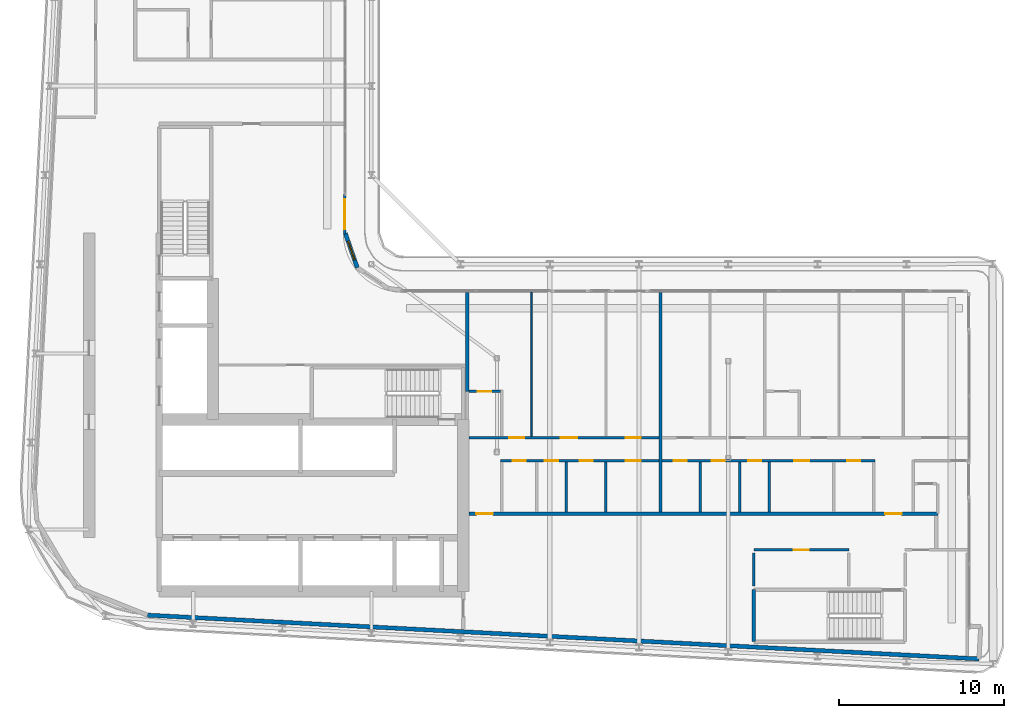
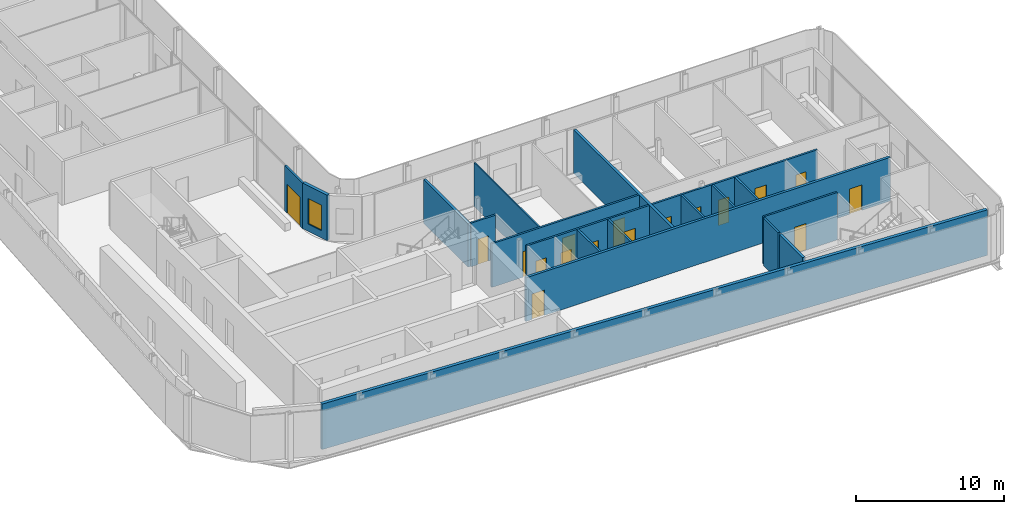
# One storey, part 11 of 22: 19 walls, 17 doors, 1 window, 18 openings.
"""IFC4 building model written with IfcOpenShell, lengths in metres."""

from ifc_helpers import new_model, si_unit, direction, frame, frame_2d, origin, place, context, subcontext, project, spatial, rectangle, extrude, source, transform, mapped, material, layer, layer_set, type_object, element, fill, save


model = new_model("IFC4")

# Units and contexts
model_context = context("Model", 3, precision=1e-05, world=origin(), true_north=direction((0.0, 1.0)))
body_context = subcontext(model_context, "Body", "Model", "MODEL_VIEW")
ifc_project = project(units=[si_unit("LENGTHUNIT", "METRE"), si_unit("AREAUNIT", "SQUARE_METRE"), si_unit("VOLUMEUNIT", "CUBIC_METRE"), si_unit("PLANEANGLEUNIT", "RADIAN"), si_unit("MASSUNIT", "GRAM", prefix="KILO")], contexts=[model_context])

# Site, building, storey
site_placement = place(None, origin())
site = spatial("IfcSite", under=ifc_project, at=site_placement, CompositionType="ELEMENT")
building_placement = place(site_placement, origin())
building = spatial("IfcBuilding", under=site, at=building_placement, Name="Kheshtan School and Residences Tower", CompositionType="ELEMENT")
storey_placement = place(building_placement, frame((0.0, 0.0, 263.0)))
storey = spatial("IfcBuildingStorey", under=building, at=storey_placement, Name="L62", CompositionType="ELEMENT", Elevation=263.0)

# Wall, openings, doors
ifc_material_1 = material(Name="Gypsum board on steel studs with fire boards", Category="steel")
ifc_layer_1 = layer(ifc_material_1, 0.199951171875)
ifc_layer_set_1 = layer_set([ifc_layer_1], Name="Corridor wall 200")
wall_type_1 = type_object("IfcWallType", Name="Corridor wall 200", PredefinedType="PARTITIONING", material=ifc_layer_set_1)
wall_1_placement = place(storey_placement, frame((53.4990234375, 30.5, 0.0), z_axis=(0.0, 0.0, 1.0), x_axis=(1.0, 0.0, 0.0)))
wall_1 = element("IfcWall", 1, at=wall_1_placement, inside=storey, type_object=wall_type_1, Name="Partition L62-033", PredefinedType="PARTITIONING", context=body_context, shape_type="SweptSolid", body=[
    extrude(rectangle(XDim=28.40087890625, YDim=0.199951171875, at=frame_2d((14.200439453125, 0.0))), origin(), (0.0, 0.0, 1.0), 3.60009765625),
])
opening_1_placement = place(wall_1_placement, frame((0.450927734375, 0.0, 0.0)))
opening_1 = element("IfcOpeningElement", 2, at=opening_1_placement, cuts=wall_1, Name="Opening D61-004", PredefinedType="OPENING", context=body_context, shape_type="SweptSolid", body=[
    extrude(rectangle(XDim=1.0, YDim=2.10009765625, at=frame_2d((0.5, 1.050048828125))), frame((0.0, 0.10986328125, 0.0), z_axis=(0.0, -1.0, 0.0), x_axis=(1.0, 0.0, 0.0)), (0.0, 0.0, 1.0), 0.219970703125),
])
opening_2_placement = place(wall_1_placement, frame((25.200927734375, 0.0, 0.0)))
opening_2 = element("IfcOpeningElement", 3, at=opening_2_placement, cuts=wall_1, Name="Opening D61-016", PredefinedType="OPENING", context=body_context, shape_type="SweptSolid", body=[
    extrude(rectangle(XDim=1.0, YDim=2.10009765625, at=frame_2d((0.5, 1.050048828125))), frame((0.0, 0.10986328125, 0.0), z_axis=(0.0, -1.0, 0.0), x_axis=(1.0, 0.0, 0.0)), (0.0, 0.0, 1.0), 0.219970703125),
])
ifc_material_2 = material(Name="Steel-framed fire-resisting door leaf", Category="steel")
door_type_1 = type_object("IfcDoorType", Name="Fire door FD30S 1000 x 2100", OperationType="SINGLE_SWING_LEFT", PredefinedType="DOOR", material=ifc_material_2)
shared_shape_1 = source(origin(), body_context, "Body", "SweptSolid", [
    extrude(rectangle(XDim=1.0, YDim=2.10009765625, at=frame_2d((0.5, 1.050048828125))), frame((0.0, 0.02490234375, 0.0), z_axis=(0.0, -1.0, 0.0), x_axis=(1.0, 0.0, 0.0)), (0.0, 0.0, 1.0), 0.050048828125),
])
door_1_placement = place(opening_1_placement, origin())
door_1 = element("IfcDoor", 4, at=door_1_placement, inside=storey, type_object=door_type_1, Name="Door D61-004", OperationType="SINGLE_SWING_LEFT", OverallHeight=2.10009765625, OverallWidth=1.0, PredefinedType="DOOR", context=body_context, shape_type="MappedRepresentation", body=[
    mapped(shared_shape_1, transform((0.0, 0.0, 0.0), x_axis=(1.0, 0.0, 0.0), y_axis=(0.0, 1.0, 0.0), z_axis=(0.0, 0.0, 1.0), scale=1.0)),
])
fill(opening_1, door_1)
door_2_placement = place(opening_2_placement, origin())
door_2 = element("IfcDoor", 5, at=door_2_placement, inside=storey, type_object=door_type_1, Name="Door D61-016", OperationType="SINGLE_SWING_RIGHT", OverallHeight=2.10009765625, OverallWidth=1.0, PredefinedType="DOOR", context=body_context, shape_type="MappedRepresentation", body=[
    mapped(shared_shape_1, transform((0.0, 0.0, 0.0), x_axis=(1.0, 0.0, 0.0), y_axis=(0.0, 1.0, 0.0), z_axis=(0.0, 0.0, 1.0), scale=1.0)),
])
fill(opening_2, door_2)

# Wall, opening, window
ifc_material_3 = material(Name="Concrete C40/50 with ceramic cladding and mineral wool insulation", Category="concrete")
ifc_layer_2 = layer(ifc_material_3, 0.25)
ifc_layer_set_2 = layer_set([ifc_layer_2], Name="External wall 250 ceramic clad")
wall_type_2 = type_object("IfcWallType", Name="External wall 250 ceramic clad", PredefinedType="SOLIDWALL", material=ifc_layer_set_2)
wall_2_placement = place(storey_placement, frame((46.01806640625, 47.470947265625, 0.0), z_axis=(0.0, 0.0, 1.0), x_axis=(0.328791208903, -0.944402637093, 0.0)))
wall_2 = element("IfcWall", 6, at=wall_2_placement, inside=storey, type_object=wall_type_2, Name="External wall L62 9", PredefinedType="SOLIDWALL", context=body_context, shape_type="SweptSolid", body=[
    extrude(rectangle(XDim=2.20458984375, YDim=0.25, at=frame_2d((1.102294921875, 0.0))), origin(), (0.0, 0.0, 1.0), 3.75),
])
opening_3_placement = place(wall_2_placement, frame((0.5029296875, 0.0, 0.60009765625)))
opening_3 = element("IfcOpeningElement", 7, at=opening_3_placement, cuts=wall_2, Name="Opening WN-E", PredefinedType="OPENING", context=body_context, shape_type="SweptSolid", body=[
    extrude(rectangle(XDim=1.199951171875, YDim=2.10009765625, at=frame_2d((0.60009765625, 1.050048828125))), frame((0.0, 0.135009765625, 0.0), z_axis=(0.0, -1.0, 0.0), x_axis=(1.0, 0.0, 0.0)), (0.0, 0.0, 1.0), 0.27001953125),
])
ifc_material_4 = material(Name="Clear low-e glass in thermally broken aluminium frame", Category="aluminium")
window_type = type_object("IfcWindowType", Name="Window WN-E", PartitioningType="SINGLE_PANEL", PredefinedType="WINDOW", material=ifc_material_4)
shared_shape_2 = source(origin(), body_context, "Body", "SweptSolid", [
    extrude(rectangle(XDim=1.199951171875, YDim=2.10009765625, at=frame_2d((0.60009765625, 1.050048828125))), frame((0.0, 0.030029296875, 0.0), z_axis=(0.0, -1.0, 0.0), x_axis=(1.0, 0.0, 0.0)), (0.0, 0.0, 1.0), 0.06005859375),
])
window_placement = place(opening_3_placement, origin())
window = element("IfcWindow", 8, at=window_placement, inside=storey, type_object=window_type, Name="Window L62 9", OverallHeight=2.10009765625, OverallWidth=1.199951171875, PartitioningType="SINGLE_PANEL", PredefinedType="WINDOW", context=body_context, shape_type="MappedRepresentation", body=[
    mapped(shared_shape_2, transform((0.0, 0.0, 0.0), x_axis=(1.0, 0.0, 0.0), y_axis=(0.0, 1.0, 0.0), z_axis=(0.0, 0.0, 1.0), scale=1.0)),
])
fill(opening_3, window)

# Wall
wall_3_placement = place(storey_placement, frame((84.385986328125, 21.702880859375, 0.0), z_axis=(0.0, 0.0, 1.0), x_axis=(-0.998617508267, 0.05256493302, 0.0)))
element("IfcWall", 9, at=wall_3_placement, inside=storey, type_object=wall_type_2, Name="External wall L62 16", PredefinedType="SOLIDWALL", context=body_context, shape_type="SweptSolid", body=[
    extrude(rectangle(XDim=50.41650390625, YDim=0.25, at=frame_2d((25.208251953125, 0.0))), origin(), (0.0, 0.0, 1.0), 3.75),
])

# Wall, opening, door
ifc_material_5 = material(Name="Aluminium frame wall with insulated infill", Category="aluminium")
ifc_layer_3 = layer(ifc_material_5, 0.14990234375)
ifc_layer_set_3 = layer_set([ifc_layer_3], Name="Glazing frame wall 150")
wall_type_3 = type_object("IfcWallType", Name="Glazing frame wall 150", PredefinedType="SOLIDWALL", material=ifc_layer_set_3)
wall_4_placement = place(storey_placement, frame((45.97509765625, 49.830078125, 0.0), z_axis=(0.0, 0.0, 1.0), x_axis=(0.0, -1.0, 0.0)))
wall_4 = element("IfcWall", 10, at=wall_4_placement, inside=storey, type_object=wall_type_3, Name="Balcony door wall L62 8.5", PredefinedType="SOLIDWALL", context=body_context, shape_type="SweptSolid", body=[
    extrude(rectangle(XDim=2.400146484375, YDim=0.14990234375, at=frame_2d((1.2001953125, 0.0))), origin(), (0.0, 0.0, 1.0), 3.75),
])
opening_4_placement = place(wall_4_placement, frame((0.300048828125, 0.0, 0.0)))
opening_4 = element("IfcOpeningElement", 11, at=opening_4_placement, cuts=wall_4, Name="Opening BD", PredefinedType="OPENING", context=body_context, shape_type="SweptSolid", body=[
    extrude(rectangle(XDim=1.800048828125, YDim=2.39990234375, at=frame_2d((0.89990234375, 1.199951171875))), frame((0.0, 0.0849609375, 0.0), z_axis=(0.0, -1.0, 0.0), x_axis=(1.0, 0.0, 0.0)), (0.0, 0.0, 1.0), 0.169921875),
])
door_type_2 = type_object("IfcDoorType", Name="Balcony sliding door", OperationType="SLIDING_TO_LEFT", PredefinedType="DOOR", material=ifc_material_4)
shared_shape_3 = source(origin(), body_context, "Body", "SweptSolid", [
    extrude(rectangle(XDim=1.800048828125, YDim=2.39990234375, at=frame_2d((0.89990234375, 1.199951171875))), frame((0.0, 0.02490234375, 0.0), z_axis=(0.0, -1.0, 0.0), x_axis=(1.0, 0.0, 0.0)), (0.0, 0.0, 1.0), 0.050048828125),
])
door_3_placement = place(opening_4_placement, origin())
door_3 = element("IfcDoor", 12, at=door_3_placement, inside=storey, type_object=door_type_2, Name="Balcony door L62 8.5", OperationType="SLIDING_TO_LEFT", OverallHeight=2.39990234375, OverallWidth=1.800048828125, PredefinedType="DOOR", context=body_context, shape_type="MappedRepresentation", body=[
    mapped(shared_shape_3, transform((0.0, 0.0, 0.0), x_axis=(1.0, 0.0, 0.0), y_axis=(0.0, 1.0, 0.0), z_axis=(0.0, 0.0, 1.0), scale=1.0)),
])
fill(opening_4, door_3)

# Wall
ifc_material_6 = material(Name="Gypsum board on steel studs", Category="steel")
ifc_layer_4 = layer(ifc_material_6, 0.10009765625)
ifc_layer_set_4 = layer_set([ifc_layer_4], Name="Gypsum partition 100")
wall_type_4 = type_object("IfcWallType", Name="Gypsum partition 100", PredefinedType="PARTITIONING", material=ifc_layer_set_4)
wall_5_placement = place(storey_placement, frame((57.300048828125, 35.175048828125, 0.0), z_axis=(0.0, 0.0, 1.0), x_axis=(0.0, 1.0, 0.0)))
element("IfcWall", 13, at=wall_5_placement, inside=storey, type_object=wall_type_4, Name="Partition L62-039", PredefinedType="PARTITIONING", context=body_context, shape_type="SweptSolid", body=[
    extrude(rectangle(XDim=8.724853515625, YDim=0.10009765625, at=frame_2d((4.3623046875, 0.0))), origin(), (0.0, 0.0, 1.0), 3.60009765625),
])

# Wall, opening, door
ifc_material_7 = material(Name="Fire-board shaft wall system")
ifc_layer_5 = layer(ifc_material_7, 0.14990234375)
ifc_layer_set_5 = layer_set([ifc_layer_5], Name="Service room wall 150")
wall_type_5 = type_object("IfcWallType", Name="Service room wall 150", PredefinedType="PARTITIONING", material=ifc_layer_set_5)
wall_6_placement = place(storey_placement, frame((70.75, 28.300048828125, 0.0), z_axis=(0.0, 0.0, 1.0), x_axis=(1.0, 0.0, 0.0)))
wall_6 = element("IfcWall", 14, at=wall_6_placement, inside=storey, type_object=wall_type_5, Name="Service room wall", PredefinedType="PARTITIONING", context=body_context, shape_type="SweptSolid", body=[
    extrude(rectangle(XDim=5.760009765625, YDim=0.14990234375, at=frame_2d((2.8798828125, 0.0))), origin(), (0.0, 0.0, 1.0), 3.89990234375),
])
opening_5_placement = place(wall_6_placement, frame((2.429931640625, 0.0, 0.0)))
opening_5 = element("IfcOpeningElement", 15, at=opening_5_placement, cuts=wall_6, Name="Opening SR90", PredefinedType="OPENING", context=body_context, shape_type="SweptSolid", body=[
    extrude(rectangle(XDim=0.89990234375, YDim=2.199951171875, at=frame_2d((0.449951171875, 1.10009765625))), frame((0.0, 0.0849609375, 0.0), z_axis=(0.0, -1.0, 0.0), x_axis=(1.0, 0.0, 0.0)), (0.0, 0.0, 1.0), 0.169921875),
])
ifc_material_8 = material(Name="Steel door leaf, galvanised", Category="steel")
door_type_3 = type_object("IfcDoorType", Name="Service room door 900 steel 90 min", OperationType="SINGLE_SWING_LEFT", PredefinedType="DOOR", material=ifc_material_8)
shared_shape_4 = source(origin(), body_context, "Body", "SweptSolid", [
    extrude(rectangle(XDim=0.89990234375, YDim=2.199951171875, at=frame_2d((0.449951171875, 1.10009765625))), frame((0.0, 0.02490234375, 0.0), z_axis=(0.0, -1.0, 0.0), x_axis=(1.0, 0.0, 0.0)), (0.0, 0.0, 1.0), 0.050048828125),
])
door_4_placement = place(opening_5_placement, origin())
door_4 = element("IfcDoor", 16, at=door_4_placement, inside=storey, type_object=door_type_3, Name="Service room door", OperationType="SINGLE_SWING_LEFT", OverallHeight=2.199951171875, OverallWidth=0.89990234375, PredefinedType="DOOR", context=body_context, shape_type="MappedRepresentation", body=[
    mapped(shared_shape_4, transform((0.0, 0.0, 0.0), x_axis=(1.0, 0.0, 0.0), y_axis=(0.0, 1.0, 0.0), z_axis=(0.0, 0.0, 1.0), scale=1.0)),
])
fill(opening_5, door_4)

# Walls
wall_7_placement = place(storey_placement, frame((70.75, 26.1201171875, 0.0), z_axis=(0.0, 0.0, 1.0), x_axis=(0.0, 1.0, 0.0)))
element("IfcWall", 17, at=wall_7_placement, inside=storey, type_object=wall_type_5, Name="Service room wall", PredefinedType="PARTITIONING", context=body_context, shape_type="SweptSolid", body=[
    extrude(rectangle(XDim=1.98486328125, YDim=0.14990234375, at=frame_2d((0.992431640625, 0.0))), origin(), (0.0, 0.0, 1.0), 3.89990234375),
])
ifc_material_9 = material(Name="Concrete C40/50", Category="concrete")
ifc_layer_6 = layer(ifc_material_9, 0.199951171875)
ifc_layer_set_6 = layer_set([ifc_layer_6], Name="Stair enclosure wall 200 Concrete C40/50")
wall_type_6 = type_object("IfcWallType", Name="Stair enclosure wall 200 Concrete C40/50", PredefinedType="SHEAR", material=ifc_layer_set_6)
wall_8_placement = place(storey_placement, frame((70.75, 22.75, 0.0), z_axis=(0.0, 0.0, 1.0), x_axis=(0.0, 1.0, 0.0)))
element("IfcWall", 18, at=wall_8_placement, inside=storey, type_object=wall_type_6, Name="Stair enclosure wall ST5", PredefinedType="SHEAR", context=body_context, shape_type="SweptSolid", body=[
    extrude(rectangle(XDim=3.14990234375, YDim=0.199951171875, at=frame_2d((1.574951171875, 0.0))), origin(), (0.0, 0.0, 1.0), 3.89990234375),
])
ifc_material_10 = material(Name="Twin gypsum board on steel studs with mineral wool", Category="steel")
ifc_layer_7 = layer(ifc_material_10, 0.199951171875)
ifc_layer_set_7 = layer_set([ifc_layer_7], Name="Unit demising wall 200")
wall_type_7 = type_object("IfcWallType", Name="Unit demising wall 200", PredefinedType="PARTITIONING", material=ifc_layer_set_7)
wall_9_placement = place(storey_placement, frame((53.39990234375, 37.89990234375, 0.0), z_axis=(0.0, 0.0, 1.0), x_axis=(0.0, 1.0, 0.0)))
element("IfcWall", 19, at=wall_9_placement, inside=storey, type_object=wall_type_7, Name="Partition L62-032", PredefinedType="PARTITIONING", context=body_context, shape_type="SweptSolid", body=[
    extrude(rectangle(XDim=6.0, YDim=0.199951171875, at=frame_2d((3.0, 0.0))), origin(), (0.0, 0.0, 1.0), 3.60009765625),
])
wall_10_placement = place(storey_placement, frame((65.10009765625, 30.60009765625, 0.0), z_axis=(0.0, 0.0, 1.0), x_axis=(0.0, 1.0, 0.0)))
element("IfcWall", 20, at=wall_10_placement, inside=storey, type_object=wall_type_7, Name="Partition L62-044", PredefinedType="PARTITIONING", context=body_context, shape_type="SweptSolid", body=[
    extrude(rectangle(XDim=13.2998046875, YDim=0.199951171875, at=frame_2d((6.64990234375, 0.0))), origin(), (0.0, 0.0, 1.0), 3.60009765625),
])

# Wall, openings, doors
ifc_material_11 = material(Name="Moisture-resistant gypsum board on steel studs", Category="steel")
ifc_layer_8 = layer(ifc_material_11, 0.14990234375)
ifc_layer_set_8 = layer_set([ifc_layer_8], Name="Wet-room partition 150")
wall_type_8 = type_object("IfcWallType", Name="Wet-room partition 150", PredefinedType="PARTITIONING", material=ifc_layer_set_8)
wall_11_placement = place(storey_placement, frame((53.4990234375, 35.10009765625, 0.0), z_axis=(0.0, 0.0, 1.0), x_axis=(1.0, 0.0, 0.0)))
wall_11 = element("IfcWall", 21, at=wall_11_placement, inside=storey, type_object=wall_type_8, Name="Partition L62-034", PredefinedType="PARTITIONING", context=body_context, shape_type="SweptSolid", body=[
    extrude(rectangle(XDim=11.5009765625, YDim=0.14990234375, at=frame_2d((5.75048828125, 0.0))), origin(), (0.0, 0.0, 1.0), 3.60009765625),
])
opening_6_placement = place(wall_11_placement, frame((9.5009765625, 0.0, 0.0)))
opening_6 = element("IfcOpeningElement", 22, at=opening_6_placement, cuts=wall_11, Name="Opening D61-002", PredefinedType="OPENING", context=body_context, shape_type="SweptSolid", body=[
    extrude(rectangle(XDim=0.89990234375, YDim=2.10009765625, at=frame_2d((0.449951171875, 1.050048828125))), frame((0.0, 0.0849609375, 0.0), z_axis=(0.0, -1.0, 0.0), x_axis=(1.0, 0.0, 0.0)), (0.0, 0.0, 1.0), 0.169921875),
])
opening_7_placement = place(wall_11_placement, frame((5.551025390625, 0.0, 0.0)))
opening_7 = element("IfcOpeningElement", 23, at=opening_7_placement, cuts=wall_11, Name="Opening D61-007", PredefinedType="OPENING", context=body_context, shape_type="SweptSolid", body=[
    extrude(rectangle(XDim=1.0, YDim=2.10009765625, at=frame_2d((0.5, 1.050048828125))), frame((0.0, 0.0849609375, 0.0), z_axis=(0.0, -1.0, 0.0), x_axis=(1.0, 0.0, 0.0)), (0.0, 0.0, 1.0), 0.169921875),
])
opening_8_placement = place(wall_11_placement, frame((2.450927734375, 0.0, 0.0)))
opening_8 = element("IfcOpeningElement", 24, at=opening_8_placement, cuts=wall_11, Name="Opening D61-008", PredefinedType="OPENING", context=body_context, shape_type="SweptSolid", body=[
    extrude(rectangle(XDim=0.89990234375, YDim=2.10009765625, at=frame_2d((0.449951171875, 1.050048828125))), frame((0.0, 0.0849609375, 0.0), z_axis=(0.0, -1.0, 0.0), x_axis=(1.0, 0.0, 0.0)), (0.0, 0.0, 1.0), 0.169921875),
])
ifc_material_12 = material(Name="Veneered timber door leaf", Category="wood")
door_type_4 = type_object("IfcDoorType", Name="Door 1000 x 2100", OperationType="SINGLE_SWING_LEFT", PredefinedType="DOOR", material=ifc_material_12)
shared_shape_5 = source(origin(), body_context, "Body", "SweptSolid", [
    extrude(rectangle(XDim=1.0, YDim=2.10009765625, at=frame_2d((0.5, 1.050048828125))), frame((0.0, 0.02490234375, 0.0), z_axis=(0.0, -1.0, 0.0), x_axis=(1.0, 0.0, 0.0)), (0.0, 0.0, 1.0), 0.050048828125),
])
door_5_placement = place(opening_7_placement, origin())
door_5 = element("IfcDoor", 25, at=door_5_placement, inside=storey, type_object=door_type_4, Name="Door D61-007", OperationType="SINGLE_SWING_LEFT", OverallHeight=2.10009765625, OverallWidth=1.0, PredefinedType="DOOR", context=body_context, shape_type="MappedRepresentation", body=[
    mapped(shared_shape_5, transform((0.0, 0.0, 0.0), x_axis=(1.0, 0.0, 0.0), y_axis=(0.0, 1.0, 0.0), z_axis=(0.0, 0.0, 1.0), scale=1.0)),
])
fill(opening_7, door_5)
door_type_5 = type_object("IfcDoorType", Name="Door 900 x 2100", OperationType="SINGLE_SWING_LEFT", PredefinedType="DOOR", material=ifc_material_12)
shared_shape_6 = source(origin(), body_context, "Body", "SweptSolid", [
    extrude(rectangle(XDim=0.89990234375, YDim=2.10009765625, at=frame_2d((0.449951171875, 1.050048828125))), frame((0.0, 0.02490234375, 0.0), z_axis=(0.0, -1.0, 0.0), x_axis=(1.0, 0.0, 0.0)), (0.0, 0.0, 1.0), 0.050048828125),
])
door_6_placement = place(opening_6_placement, origin())
door_6 = element("IfcDoor", 26, at=door_6_placement, inside=storey, type_object=door_type_5, Name="Door D61-002", OperationType="SINGLE_SWING_LEFT", OverallHeight=2.10009765625, OverallWidth=0.89990234375, PredefinedType="DOOR", context=body_context, shape_type="MappedRepresentation", body=[
    mapped(shared_shape_6, transform((0.0, 0.0, 0.0), x_axis=(1.0, 0.0, 0.0), y_axis=(0.0, 1.0, 0.0), z_axis=(0.0, 0.0, 1.0), scale=1.0)),
])
fill(opening_6, door_6)
door_7_placement = place(opening_8_placement, origin())
door_7 = element("IfcDoor", 27, at=door_7_placement, inside=storey, type_object=door_type_5, Name="Door D61-008", OperationType="SINGLE_SWING_RIGHT", OverallHeight=2.10009765625, OverallWidth=0.89990234375, PredefinedType="DOOR", context=body_context, shape_type="MappedRepresentation", body=[
    mapped(shared_shape_6, transform((0.0, 0.0, 0.0), x_axis=(1.0, 0.0, 0.0), y_axis=(0.0, 1.0, 0.0), z_axis=(0.0, 0.0, 1.0), scale=1.0)),
])
fill(opening_8, door_7)

# Wall, opening, door
wall_12_placement = place(storey_placement, frame((53.5, 37.89990234375, 0.0), z_axis=(0.0, 0.0, 1.0), x_axis=(1.0, 0.0, 0.0)))
wall_12 = element("IfcWall", 28, at=wall_12_placement, inside=storey, type_object=wall_type_8, Name="Partition L62-035", PredefinedType="PARTITIONING", context=body_context, shape_type="SweptSolid", body=[
    extrude(rectangle(XDim=1.925048828125, YDim=0.14990234375, at=frame_2d((0.96240234375, 0.0))), origin(), (0.0, 0.0, 1.0), 3.60009765625),
])
opening_9_placement = place(wall_12_placement, frame((0.550048828125, 0.0, 0.0)))
opening_9 = element("IfcOpeningElement", 29, at=opening_9_placement, cuts=wall_12, Name="Opening D61-003", PredefinedType="OPENING", context=body_context, shape_type="SweptSolid", body=[
    extrude(rectangle(XDim=0.800048828125, YDim=2.10009765625, at=frame_2d((0.39990234375, 1.050048828125))), frame((0.0, 0.0849609375, 0.0), z_axis=(0.0, -1.0, 0.0), x_axis=(1.0, 0.0, 0.0)), (0.0, 0.0, 1.0), 0.169921875),
])
door_type_6 = type_object("IfcDoorType", Name="Door 800 x 2100", OperationType="SINGLE_SWING_LEFT", PredefinedType="DOOR", material=ifc_material_12)
shared_shape_7 = source(origin(), body_context, "Body", "SweptSolid", [
    extrude(rectangle(XDim=0.800048828125, YDim=2.10009765625, at=frame_2d((0.39990234375, 1.050048828125))), frame((0.0, 0.02490234375, 0.0), z_axis=(0.0, -1.0, 0.0), x_axis=(1.0, 0.0, 0.0)), (0.0, 0.0, 1.0), 0.050048828125),
])
door_8_placement = place(opening_9_placement, origin())
door_8 = element("IfcDoor", 30, at=door_8_placement, inside=storey, type_object=door_type_6, Name="Door D61-003", OperationType="SINGLE_SWING_LEFT", OverallHeight=2.10009765625, OverallWidth=0.800048828125, PredefinedType="DOOR", context=body_context, shape_type="MappedRepresentation", body=[
    mapped(shared_shape_7, transform((0.0, 0.0, 0.0), x_axis=(1.0, 0.0, 0.0), y_axis=(0.0, 1.0, 0.0), z_axis=(0.0, 0.0, 1.0), scale=1.0)),
])
fill(opening_9, door_8)

# Wall, openings, doors
wall_13_placement = place(storey_placement, frame((55.425048828125, 33.699951171875, 0.0), z_axis=(0.0, 0.0, 1.0), x_axis=(1.0, 0.0, 0.0)))
wall_13 = element("IfcWall", 31, at=wall_13_placement, inside=storey, type_object=wall_type_8, Name="Partition L62-036", PredefinedType="PARTITIONING", context=body_context, shape_type="SweptSolid", body=[
    extrude(rectangle(XDim=9.574951171875, YDim=0.14990234375, at=frame_2d((4.78759765625, 0.0))), origin(), (0.0, 0.0, 1.0), 3.60009765625),
])
opening_10_placement = place(wall_13_placement, frame((4.77490234375, 0.0, 0.0)))
opening_10 = element("IfcOpeningElement", 32, at=opening_10_placement, cuts=wall_13, Name="Opening D61-001", PredefinedType="OPENING", context=body_context, shape_type="SweptSolid", body=[
    extrude(rectangle(XDim=0.800048828125, YDim=2.10009765625, at=frame_2d((0.39990234375, 1.050048828125))), frame((0.0, 0.0849609375, 0.0), z_axis=(0.0, -1.0, 0.0), x_axis=(1.0, 0.0, 0.0)), (0.0, 0.0, 1.0), 0.169921875),
])
opening_11_placement = place(wall_13_placement, frame((7.574951171875, 0.0, 0.0)))
opening_11 = element("IfcOpeningElement", 33, at=opening_11_placement, cuts=wall_13, Name="Opening D61-005", PredefinedType="OPENING", context=body_context, shape_type="SweptSolid", body=[
    extrude(rectangle(XDim=0.89990234375, YDim=2.10009765625, at=frame_2d((0.449951171875, 1.050048828125))), frame((0.0, 0.0849609375, 0.0), z_axis=(0.0, -1.0, 0.0), x_axis=(1.0, 0.0, 0.0)), (0.0, 0.0, 1.0), 0.169921875),
])
opening_12_placement = place(wall_13_placement, frame((0.72509765625, 0.0, 0.0)))
opening_12 = element("IfcOpeningElement", 34, at=opening_12_placement, cuts=wall_13, Name="Opening D61-006", PredefinedType="OPENING", context=body_context, shape_type="SweptSolid", body=[
    extrude(rectangle(XDim=0.800048828125, YDim=2.10009765625, at=frame_2d((0.39990234375, 1.050048828125))), frame((0.0, 0.0849609375, 0.0), z_axis=(0.0, -1.0, 0.0), x_axis=(1.0, 0.0, 0.0)), (0.0, 0.0, 1.0), 0.169921875),
])
opening_13_placement = place(wall_13_placement, frame((2.675048828125, 0.0, 0.0)))
opening_13 = element("IfcOpeningElement", 35, at=opening_13_placement, cuts=wall_13, Name="Opening D61-009", PredefinedType="OPENING", context=body_context, shape_type="SweptSolid", body=[
    extrude(rectangle(XDim=0.800048828125, YDim=2.10009765625, at=frame_2d((0.39990234375, 1.050048828125))), frame((0.0, 0.0849609375, 0.0), z_axis=(0.0, -1.0, 0.0), x_axis=(1.0, 0.0, 0.0)), (0.0, 0.0, 1.0), 0.169921875),
])
door_9_placement = place(opening_10_placement, origin())
door_9 = element("IfcDoor", 36, at=door_9_placement, inside=storey, type_object=door_type_6, Name="Door D61-001", OperationType="SINGLE_SWING_LEFT", OverallHeight=2.10009765625, OverallWidth=0.800048828125, PredefinedType="DOOR", context=body_context, shape_type="MappedRepresentation", body=[
    mapped(shared_shape_7, transform((0.0, 0.0, 0.0), x_axis=(1.0, 0.0, 0.0), y_axis=(0.0, 1.0, 0.0), z_axis=(0.0, 0.0, 1.0), scale=1.0)),
])
fill(opening_10, door_9)
door_10_placement = place(opening_12_placement, origin())
door_10 = element("IfcDoor", 37, at=door_10_placement, inside=storey, type_object=door_type_6, Name="Door D61-006", OperationType="SINGLE_SWING_RIGHT", OverallHeight=2.10009765625, OverallWidth=0.800048828125, PredefinedType="DOOR", context=body_context, shape_type="MappedRepresentation", body=[
    mapped(shared_shape_7, transform((0.0, 0.0, 0.0), x_axis=(1.0, 0.0, 0.0), y_axis=(0.0, 1.0, 0.0), z_axis=(0.0, 0.0, 1.0), scale=1.0)),
])
fill(opening_12, door_10)
door_11_placement = place(opening_13_placement, origin())
door_11 = element("IfcDoor", 38, at=door_11_placement, inside=storey, type_object=door_type_6, Name="Door D61-009", OperationType="SINGLE_SWING_RIGHT", OverallHeight=2.10009765625, OverallWidth=0.800048828125, PredefinedType="DOOR", context=body_context, shape_type="MappedRepresentation", body=[
    mapped(shared_shape_7, transform((0.0, 0.0, 0.0), x_axis=(1.0, 0.0, 0.0), y_axis=(0.0, 1.0, 0.0), z_axis=(0.0, 0.0, 1.0), scale=1.0)),
])
fill(opening_13, door_11)
door_12_placement = place(opening_11_placement, origin())
door_12 = element("IfcDoor", 39, at=door_12_placement, inside=storey, type_object=door_type_5, Name="Door D61-005", OperationType="SINGLE_SWING_LEFT", OverallHeight=2.10009765625, OverallWidth=0.89990234375, PredefinedType="DOOR", context=body_context, shape_type="MappedRepresentation", body=[
    mapped(shared_shape_6, transform((0.0, 0.0, 0.0), x_axis=(1.0, 0.0, 0.0), y_axis=(0.0, 1.0, 0.0), z_axis=(0.0, 0.0, 1.0), scale=1.0)),
])
fill(opening_11, door_12)

# Walls
for number, where, z_axis, x_axis, name in (
    (40, (59.39990234375, 30.60009765625, 0.0), (0.0, 0.0, 1.0), (0.0, 1.0, 0.0), "Partition L62-041"),
    (41, (61.800048828125, 30.60009765625, 0.0), (0.0, 0.0, 1.0), (0.0, 1.0, 0.0), "Partition L62-042"),
):
    element("IfcWall", number, at=place(storey_placement, frame(where, z_axis=z_axis, x_axis=x_axis)), inside=storey, type_object=wall_type_8, Name=name, PredefinedType="PARTITIONING", context=body_context, shape_type="SweptSolid", body=[
        extrude(rectangle(XDim=3.02490234375, YDim=0.14990234375, at=frame_2d((1.512451171875, 0.0))), origin(), (0.0, 0.0, 1.0), 3.60009765625),
    ])

# Wall, openings, doors
wall_14_placement = place(storey_placement, frame((65.199951171875, 33.699951171875, 0.0), z_axis=(0.0, 0.0, 1.0), x_axis=(1.0, 0.0, 0.0)))
wall_14 = element("IfcWall", 42, at=wall_14_placement, inside=storey, type_object=wall_type_8, Name="Partition L62-045", PredefinedType="PARTITIONING", context=body_context, shape_type="SweptSolid", body=[
    extrude(rectangle(XDim=12.875, YDim=0.14990234375, at=frame_2d((6.4375, 0.0))), origin(), (0.0, 0.0, 1.0), 3.60009765625),
])
opening_14_placement = place(wall_14_placement, frame((3.0, 0.0, 0.0)))
opening_14 = element("IfcOpeningElement", 43, at=opening_14_placement, cuts=wall_14, Name="Opening D61-010", PredefinedType="OPENING", context=body_context, shape_type="SweptSolid", body=[
    extrude(rectangle(XDim=0.800048828125, YDim=2.10009765625, at=frame_2d((0.39990234375, 1.050048828125))), frame((0.0, 0.0849609375, 0.0), z_axis=(0.0, -1.0, 0.0), x_axis=(1.0, 0.0, 0.0)), (0.0, 0.0, 1.0), 0.169921875),
])
opening_15_placement = place(wall_14_placement, frame((11.199951171875, 0.0, 0.0)))
opening_15 = element("IfcOpeningElement", 44, at=opening_15_placement, cuts=wall_14, Name="Opening D61-011", PredefinedType="OPENING", context=body_context, shape_type="SweptSolid", body=[
    extrude(rectangle(XDim=0.800048828125, YDim=2.10009765625, at=frame_2d((0.39990234375, 1.050048828125))), frame((0.0, 0.0849609375, 0.0), z_axis=(0.0, -1.0, 0.0), x_axis=(1.0, 0.0, 0.0)), (0.0, 0.0, 1.0), 0.169921875),
])
opening_16_placement = place(wall_14_placement, frame((0.699951171875, 0.0, 0.0)))
opening_16 = element("IfcOpeningElement", 45, at=opening_16_placement, cuts=wall_14, Name="Opening D61-014", PredefinedType="OPENING", context=body_context, shape_type="SweptSolid", body=[
    extrude(rectangle(XDim=0.800048828125, YDim=2.10009765625, at=frame_2d((0.39990234375, 1.050048828125))), frame((0.0, 0.0849609375, 0.0), z_axis=(0.0, -1.0, 0.0), x_axis=(1.0, 0.0, 0.0)), (0.0, 0.0, 1.0), 0.169921875),
])
opening_17_placement = place(wall_14_placement, frame((8.0, 0.0, 0.0)))
opening_17 = element("IfcOpeningElement", 46, at=opening_17_placement, cuts=wall_14, Name="Opening D61-017", PredefinedType="OPENING", context=body_context, shape_type="SweptSolid", body=[
    extrude(rectangle(XDim=0.89990234375, YDim=2.10009765625, at=frame_2d((0.449951171875, 1.050048828125))), frame((0.0, 0.0849609375, 0.0), z_axis=(0.0, -1.0, 0.0), x_axis=(1.0, 0.0, 0.0)), (0.0, 0.0, 1.0), 0.169921875),
])
opening_18_placement = place(wall_14_placement, frame((5.199951171875, 0.0, 0.0)))
opening_18 = element("IfcOpeningElement", 47, at=opening_18_placement, cuts=wall_14, Name="Opening D61-023", PredefinedType="OPENING", context=body_context, shape_type="SweptSolid", body=[
    extrude(rectangle(XDim=0.800048828125, YDim=2.10009765625, at=frame_2d((0.39990234375, 1.050048828125))), frame((0.0, 0.0849609375, 0.0), z_axis=(0.0, -1.0, 0.0), x_axis=(1.0, 0.0, 0.0)), (0.0, 0.0, 1.0), 0.169921875),
])
door_13_placement = place(opening_14_placement, origin())
door_13 = element("IfcDoor", 48, at=door_13_placement, inside=storey, type_object=door_type_6, Name="Door D61-010", OperationType="SINGLE_SWING_RIGHT", OverallHeight=2.10009765625, OverallWidth=0.800048828125, PredefinedType="DOOR", context=body_context, shape_type="MappedRepresentation", body=[
    mapped(shared_shape_7, transform((0.0, 0.0, 0.0), x_axis=(1.0, 0.0, 0.0), y_axis=(0.0, 1.0, 0.0), z_axis=(0.0, 0.0, 1.0), scale=1.0)),
])
fill(opening_14, door_13)
door_14_placement = place(opening_15_placement, origin())
door_14 = element("IfcDoor", 49, at=door_14_placement, inside=storey, type_object=door_type_6, Name="Door D61-011", OperationType="SINGLE_SWING_LEFT", OverallHeight=2.10009765625, OverallWidth=0.800048828125, PredefinedType="DOOR", context=body_context, shape_type="MappedRepresentation", body=[
    mapped(shared_shape_7, transform((0.0, 0.0, 0.0), x_axis=(1.0, 0.0, 0.0), y_axis=(0.0, 1.0, 0.0), z_axis=(0.0, 0.0, 1.0), scale=1.0)),
])
fill(opening_15, door_14)
door_15_placement = place(opening_16_placement, origin())
door_15 = element("IfcDoor", 50, at=door_15_placement, inside=storey, type_object=door_type_6, Name="Door D61-014", OperationType="SINGLE_SWING_RIGHT", OverallHeight=2.10009765625, OverallWidth=0.800048828125, PredefinedType="DOOR", context=body_context, shape_type="MappedRepresentation", body=[
    mapped(shared_shape_7, transform((0.0, 0.0, 0.0), x_axis=(1.0, 0.0, 0.0), y_axis=(0.0, 1.0, 0.0), z_axis=(0.0, 0.0, 1.0), scale=1.0)),
])
fill(opening_16, door_15)
door_16_placement = place(opening_18_placement, origin())
door_16 = element("IfcDoor", 51, at=door_16_placement, inside=storey, type_object=door_type_6, Name="Door D61-023", OperationType="SINGLE_SWING_LEFT", OverallHeight=2.10009765625, OverallWidth=0.800048828125, PredefinedType="DOOR", context=body_context, shape_type="MappedRepresentation", body=[
    mapped(shared_shape_7, transform((0.0, 0.0, 0.0), x_axis=(1.0, 0.0, 0.0), y_axis=(0.0, 1.0, 0.0), z_axis=(0.0, 0.0, 1.0), scale=1.0)),
])
fill(opening_18, door_16)
door_17_placement = place(opening_17_placement, origin())
door_17 = element("IfcDoor", 52, at=door_17_placement, inside=storey, type_object=door_type_5, Name="Door D61-017", OperationType="SINGLE_SWING_LEFT", OverallHeight=2.10009765625, OverallWidth=0.89990234375, PredefinedType="DOOR", context=body_context, shape_type="MappedRepresentation", body=[
    mapped(shared_shape_6, transform((0.0, 0.0, 0.0), x_axis=(1.0, 0.0, 0.0), y_axis=(0.0, 1.0, 0.0), z_axis=(0.0, 0.0, 1.0), scale=1.0)),
])
fill(opening_17, door_17)

# Walls
for number, where, z_axis, x_axis, name in (
    (53, (67.5, 30.60009765625, 0.0), (0.0, 0.0, 1.0), (0.0, 1.0, 0.0), "Partition L62-047"),
    (54, (69.89990234375, 30.60009765625, 0.0), (0.0, 0.0, 1.0), (0.0, 1.0, 0.0), "Partition L62-049"),
    (55, (71.699951171875, 30.60009765625, 0.0), (0.0, 0.0, 1.0), (0.0, 1.0, 0.0), "Partition L62-052"),
):
    element("IfcWall", number, at=place(storey_placement, frame(where, z_axis=z_axis, x_axis=x_axis)), inside=storey, type_object=wall_type_8, Name=name, PredefinedType="PARTITIONING", context=body_context, shape_type="SweptSolid", body=[
        extrude(rectangle(XDim=3.02490234375, YDim=0.14990234375, at=frame_2d((1.512451171875, 0.0))), origin(), (0.0, 0.0, 1.0), 3.60009765625),
    ])

save(model, "model.ifc")
